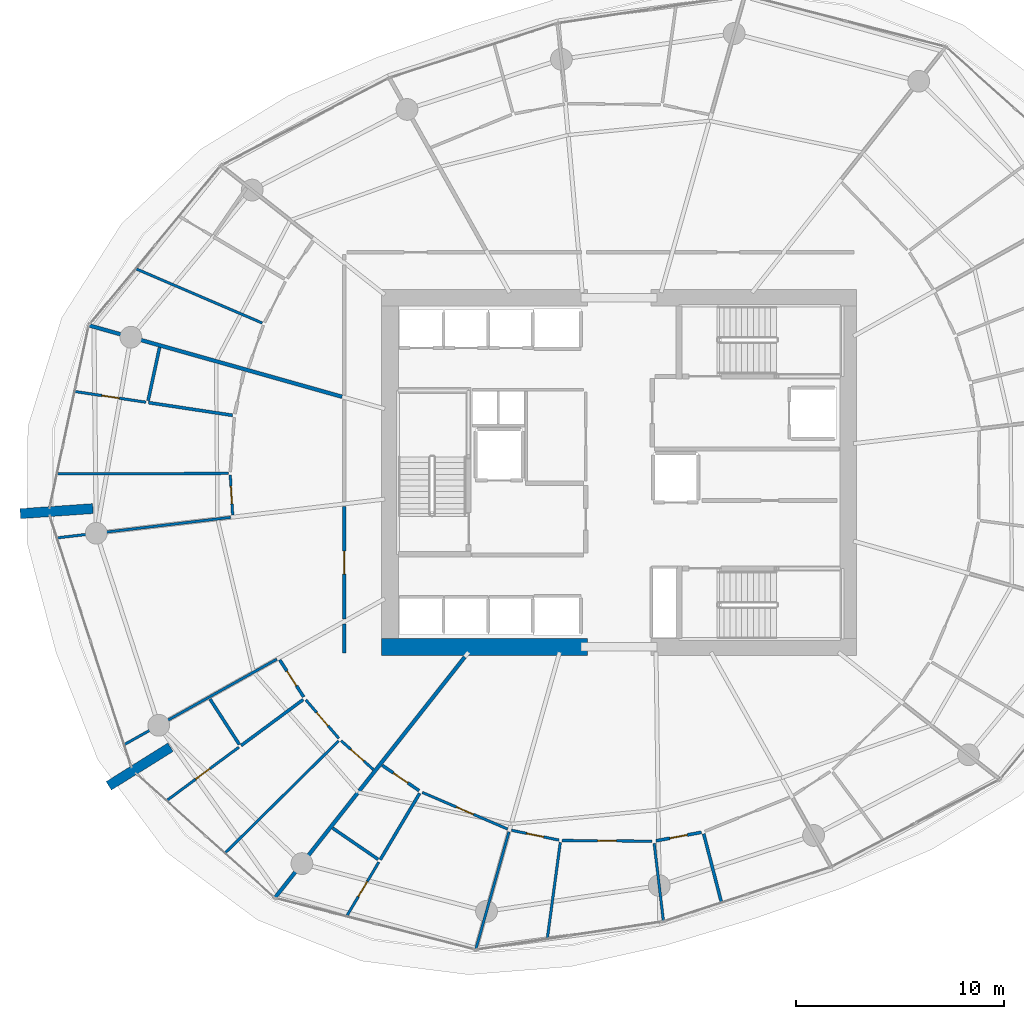
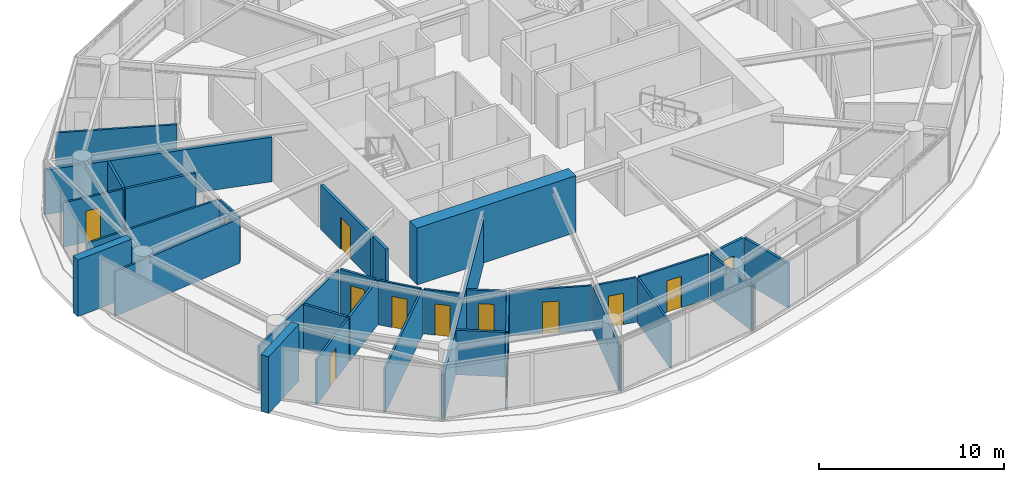
# One storey, part 12 of 17: 34 walls, 13 doors, 13 openings.
"""IFC4 building model written with IfcOpenShell, lengths in metres."""

from ifc_helpers import new_model, si_unit, direction, frame, frame_2d, origin, place, context, subcontext, project, spatial, rectangle, extrude, material, layer, layer_set, type_object, element, fill, save


model = new_model("IFC4")

# Units and contexts
model_context = context("Model", 3, precision=1e-05, world=origin(), true_north=direction((0.0, 1.0)))
body_context = subcontext(model_context, "Body", "Model", "MODEL_VIEW")
ifc_project = project(units=[si_unit("LENGTHUNIT", "METRE"), si_unit("AREAUNIT", "SQUARE_METRE"), si_unit("VOLUMEUNIT", "CUBIC_METRE"), si_unit("PLANEANGLEUNIT", "RADIAN"), si_unit("MASSUNIT", "GRAM", prefix="KILO")], contexts=[model_context])

# Site, building, storey
site_placement = place(None, origin())
site = spatial("IfcSite", under=ifc_project, at=site_placement, CompositionType="ELEMENT")
building_placement = place(site_placement, origin())
building = spatial("IfcBuilding", under=site, at=building_placement, Name="Kazma Halo Residences", CompositionType="ELEMENT")
storey_placement = place(building_placement, frame((0.0, 0.0, 127.800048828125)))
storey = spatial("IfcBuildingStorey", under=building, at=storey_placement, Name="L31", CompositionType="ELEMENT", Elevation=127.800048828125)

# Walls
ifc_material_1 = material(Name="Pale Concrete C60/75", Category="concrete")
ifc_layer_1 = layer(ifc_material_1, 0.47998046875)
ifc_layer_set_1 = layer_set([ifc_layer_1], Name="Pale Concrete C60/75")
wall_type_1 = type_object("IfcWallType", Name="WL-BLADE-480", PredefinedType="SOLIDWALL", material=ifc_layer_set_1)
for number, where, z_axis, x_axis, name in (
    (1, (23.10302734375, 40.259033203125, 0.0), (0.0, 0.0, 1.0), (-0.997564163539, -0.069754853754, 0.0), "L31 pale concrete structural blade fin wall BW-02"),
    (2, (26.834716796875, 28.7744140625, 0.0), (0.0, 0.0, 1.0), (-0.848053161125, -0.529911158502, 0.0), "L31 pale concrete structural blade fin wall BW-03"),
):
    element("IfcWall", number, at=place(storey_placement, frame(where, z_axis=z_axis, x_axis=x_axis)), inside=storey, type_object=wall_type_1, Name=name, PredefinedType="SOLIDWALL", context=body_context, shape_type="SweptSolid", body=[
        extrude(rectangle(XDim=3.5, YDim=0.47998046875, at=frame_2d((1.75, 0.0))), origin(), (0.0, 0.0, 1.0), 3.75),
    ])
ifc_material_2 = material(Name="Concrete C80/95", Category="concrete")
ifc_layer_2 = layer(ifc_material_2, 0.800048828125)
ifc_layer_set_2 = layer_set([ifc_layer_2], Name="Concrete C80/95")
wall_type_2 = type_object("IfcWallType", Name="WL-CORE-800", PredefinedType="SHEAR", material=ifc_layer_set_2)
wall_1_placement = place(storey_placement, frame((37.0, 33.60009765625, 0.0), z_axis=(0.0, 0.0, 1.0), x_axis=(1.0, 0.0, 0.0)))
element("IfcWall", 3, at=wall_1_placement, inside=storey, type_object=wall_type_2, Name="L31 central core shear wall SW", PredefinedType="SHEAR", context=body_context, shape_type="SweptSolid", body=[
    extrude(rectangle(XDim=9.89990234375, YDim=0.800048828125, at=frame_2d((4.949951171875, 0.0))), origin(), (0.0, 0.0, 1.0), 3.75),
])
ifc_material_3 = material(Name="Acoustic Twin-Stud Gypsum")
ifc_layer_3 = layer(ifc_material_3, 0.179931640625)
ifc_layer_set_3 = layer_set([ifc_layer_3], Name="Acoustic Twin-Stud Gypsum")
wall_type_3 = type_object("IfcWallType", Name="WL-DEM-180", PredefinedType="PARTITIONING", material=ifc_layer_set_3)
wall_2_placement = place(storey_placement, frame((35.093994140625, 45.639892578125, 0.0), z_axis=(0.0, 0.0, 1.0), x_axis=(-0.962457696796, 0.271431725996, 0.0)))
element("IfcWall", 4, at=wall_2_placement, inside=storey, type_object=wall_type_3, Name="L31 apartment demising radial wall 06", PredefinedType="PARTITIONING", context=body_context, shape_type="SweptSolid", body=[
    extrude(rectangle(XDim=12.641845703125, YDim=0.179931640625, at=frame_2d((6.32080078125, 0.0))), origin(), (0.0, 0.0, 1.0), 2.93994140625),
])
wall_3_placement = place(storey_placement, frame((40.994384765625, 33.113525390625, 0.0), z_axis=(0.0, 0.0, 1.0), x_axis=(-0.6190924473, -0.785318114968, 0.0)))
element("IfcWall", 5, at=wall_3_placement, inside=storey, type_object=wall_type_3, Name="L31 apartment demising radial wall 09", PredefinedType="PARTITIONING", context=body_context, shape_type="SweptSolid", body=[
    extrude(rectangle(XDim=14.73583984375, YDim=0.179931640625, at=frame_2d((7.367919921875, 0.0))), origin(), (0.0, 0.0, 1.0), 2.93994140625),
])

# Wall, opening, door
wall_4_placement = place(storey_placement, frame((35.199951171875, 40.364990234375, 0.0), z_axis=(0.0, 0.0, 1.0), x_axis=(0.0, -1.0, 0.0)))
wall_4 = element("IfcWall", 6, at=wall_4_placement, inside=storey, type_object=wall_type_3, Name="L31 Apartment 2 entrance corridor wall", PredefinedType="PARTITIONING", context=body_context, shape_type="SweptSolid", body=[
    extrude(rectangle(XDim=5.413330078125, YDim=0.179931640625, at=frame_2d((2.70654296875, 0.0))), origin(), (0.0, 0.0, 1.0), 2.93994140625),
])
opening_1_placement = place(wall_4_placement, frame((2.156494140625, 0.0, 0.0)))
opening_1 = element("IfcOpeningElement", 7, at=opening_1_placement, cuts=wall_4, Name="Opening DA-1100", PredefinedType="OPENING", context=body_context, shape_type="SweptSolid", body=[
    extrude(rectangle(XDim=1.10009765625, YDim=2.10009765625, at=frame_2d((0.550048828125, 1.050048828125))), frame((0.0, 0.099853515625, 0.0), z_axis=(0.0, -1.0, 0.0), x_axis=(1.0, 0.0, 0.0)), (0.0, 0.0, 1.0), 0.199951171875),
])
ifc_material_4 = material(Name="Acoustic Walnut Fire Leaf")
door_type_1 = type_object("IfcDoorType", Name="DR-FD60-1100", OperationType="NOTDEFINED", PredefinedType="DOOR", material=ifc_material_4)
door_1_placement = place(opening_1_placement, origin())
door_1 = element("IfcDoor", 8, at=door_1_placement, inside=storey, type_object=door_type_1, Name="L31 Apartment 2 entrance fire door", OperationType="SINGLE_SWING_RIGHT", OverallHeight=2.10009765625, OverallWidth=1.10009765625, PredefinedType="DOOR", context=body_context, shape_type="SweptSolid", body=[
    extrude(rectangle(XDim=1.10009765625, YDim=2.10009765625, at=frame_2d((0.550048828125, 1.050048828125))), frame((0.0, 0.02490234375, 0.0), z_axis=(0.0, -1.0, 0.0), x_axis=(1.0, 0.0, 0.0)), (0.0, 0.0, 1.0), 0.050048828125),
])
fill(opening_1, door_1)

# Walls
wall_5_placement = place(storey_placement, frame((35.199951171875, 34.711669921875, 0.0), z_axis=(0.0, 0.0, 1.0), x_axis=(0.0, -1.0, 0.0)))
element("IfcWall", 9, at=wall_5_placement, inside=storey, type_object=wall_type_3, Name="L31 Apartment 2 inner wall 8", PredefinedType="PARTITIONING", context=body_context, shape_type="SweptSolid", body=[
    extrude(rectangle(XDim=1.3916015625, YDim=0.179931640625, at=frame_2d((0.69580078125, 0.0))), origin(), (0.0, 0.0, 1.0), 2.93994140625),
])
ifc_material_5 = material(Name="Gypsum Plasterboard Partition")
ifc_layer_4 = layer(ifc_material_5, 0.125)
ifc_layer_set_4 = layer_set([ifc_layer_4], Name="Gypsum Plasterboard Partition")
wall_type_4 = type_object("IfcWallType", Name="WL-PART-125", PredefinedType="PARTITIONING", material=ifc_layer_set_4)
wall_6_placement = place(storey_placement, frame((31.2490234375, 49.190185546875, 0.0), z_axis=(0.0, 0.0, 1.0), x_axis=(-0.918909749981, 0.394467833151, 0.0)))
element("IfcWall", 10, at=wall_6_placement, inside=storey, type_object=wall_type_4, Name="L31 Apartment 1 suite divider 5", PredefinedType="PARTITIONING", context=body_context, shape_type="SweptSolid", body=[
    extrude(rectangle(XDim=6.606201171875, YDim=0.125, at=frame_2d((3.30322265625, 0.0))), origin(), (0.0, 0.0, 1.0), 2.93994140625),
])
wall_7_placement = place(storey_placement, frame((29.734619140625, 39.838134765625, 0.0), z_axis=(0.0, 0.0, 1.0), x_axis=(-0.993067960025, -0.117541595925, 0.0)))
element("IfcWall", 11, at=wall_7_placement, inside=storey, type_object=wall_type_4, Name="L31 Apartment 2 living radial partition 6", PredefinedType="PARTITIONING", context=body_context, shape_type="SweptSolid", body=[
    extrude(rectangle(XDim=8.393310546875, YDim=0.125, at=frame_2d((4.19677734375, 0.0))), origin(), (0.0, 0.0, 1.0), 2.93994140625),
])

# Wall, opening, door
wall_8_placement = place(storey_placement, frame((25.65087890625, 45.3779296875, 0.0), z_axis=(0.0, 0.0, 1.0), x_axis=(-0.988765709442, 0.149473649288, 0.0)))
wall_8 = element("IfcWall", 12, at=wall_8_placement, inside=storey, type_object=wall_type_4, Name="L31 Apartment 2 Household Store Room partition wall", PredefinedType="PARTITIONING", context=body_context, shape_type="SweptSolid", body=[
    extrude(rectangle(XDim=3.44482421875, YDim=0.125, at=frame_2d((1.722412109375, 0.0))), origin(), (0.0, 0.0, 1.0), 2.93994140625),
])
opening_2_placement = place(wall_8_placement, frame((1.29736328125, 0.0, 0.0)))
opening_2 = element("IfcOpeningElement", 13, at=opening_2_placement, cuts=wall_8, Name="Opening DB-900", PredefinedType="OPENING", context=body_context, shape_type="SweptSolid", body=[
    extrude(rectangle(XDim=0.85009765625, YDim=2.06005859375, at=frame_2d((0.425048828125, 1.030029296875))), frame((0.0, 0.072509765625, 0.0), z_axis=(0.0, -1.0, 0.0), x_axis=(1.0, 0.0, 0.0)), (0.0, 0.0, 1.0), 0.14501953125),
])
ifc_material_6 = material(Name="Moisture-Sealed Timber Leaf", Category="wood")
door_type_2 = type_object("IfcDoorType", Name="DR-BTH-900", OperationType="NOTDEFINED", PredefinedType="DOOR", material=ifc_material_6)
door_2_placement = place(opening_2_placement, origin())
door_2 = element("IfcDoor", 14, at=door_2_placement, inside=storey, type_object=door_type_2, Name="L31 Apartment 2 Household Store Room door", OperationType="SINGLE_SWING_LEFT", OverallHeight=2.06005859375, OverallWidth=0.85009765625, PredefinedType="DOOR", context=body_context, shape_type="SweptSolid", body=[
    extrude(rectangle(XDim=0.85009765625, YDim=2.06005859375, at=frame_2d((0.425048828125, 1.030029296875))), frame((0.0, 0.02490234375, 0.0), z_axis=(0.0, -1.0, 0.0), x_axis=(1.0, 0.0, 0.0)), (0.0, 0.0, 1.0), 0.050048828125),
])
fill(opening_2, door_2)

# Wall
wall_9_placement = place(storey_placement, frame((29.6171875, 41.951416015625, 0.0), z_axis=(0.0, 0.0, 1.0), x_axis=(-0.999996508775, -0.002642430132, 0.0)))
element("IfcWall", 15, at=wall_9_placement, inside=storey, type_object=wall_type_4, Name="L31 Apartment 2 suite divider 6", PredefinedType="PARTITIONING", context=body_context, shape_type="SweptSolid", body=[
    extrude(rectangle(XDim=8.222900390625, YDim=0.125, at=frame_2d((4.111328125, 0.0))), origin(), (0.0, 0.0, 1.0), 2.93994140625),
])

# Wall, opening, door
wall_10_placement = place(storey_placement, frame((29.7119140625, 41.87158203125, 0.0), z_axis=(0.0, 0.0, 1.0), x_axis=(0.060230897349, -0.99818447143, 0.0)))
wall_10 = element("IfcWall", 16, at=wall_10_placement, inside=storey, type_object=wall_type_4, Name="L31 Apartment 2 Primary Bedroom hall wall", PredefinedType="PARTITIONING", context=body_context, shape_type="SweptSolid", body=[
    extrude(rectangle(XDim=1.92529296875, YDim=0.125, at=frame_2d((0.962646484375, 0.0))), origin(), (0.0, 0.0, 1.0), 2.93994140625),
])
opening_3_placement = place(wall_10_placement, frame((0.53759765625, 0.0, 0.0)))
opening_3 = element("IfcOpeningElement", 17, at=opening_3_placement, cuts=wall_10, Name="Opening DB-900", PredefinedType="OPENING", context=body_context, shape_type="SweptSolid", body=[
    extrude(rectangle(XDim=0.85009765625, YDim=2.06005859375, at=frame_2d((0.425048828125, 1.030029296875))), frame((0.0, 0.072509765625, 0.0), z_axis=(0.0, -1.0, 0.0), x_axis=(1.0, 0.0, 0.0)), (0.0, 0.0, 1.0), 0.14501953125),
])
door_3_placement = place(opening_3_placement, origin())
door_3 = element("IfcDoor", 18, at=door_3_placement, inside=storey, type_object=door_type_2, Name="L31 Apartment 2 Primary Bedroom door", OperationType="SINGLE_SWING_LEFT", OverallHeight=2.06005859375, OverallWidth=0.85009765625, PredefinedType="DOOR", context=body_context, shape_type="SweptSolid", body=[
    extrude(rectangle(XDim=0.85009765625, YDim=2.06005859375, at=frame_2d((0.425048828125, 1.030029296875))), frame((0.0, 0.02490234375, 0.0), z_axis=(0.0, -1.0, 0.0), x_axis=(1.0, 0.0, 0.0)), (0.0, 0.0, 1.0), 0.050048828125),
])
fill(opening_3, door_3)

# Wall
wall_11_placement = place(storey_placement, frame((31.9521484375, 33.0126953125, 0.0), z_axis=(0.0, 0.0, 1.0), x_axis=(-0.872496095363, -0.488621083844, 0.0)))
element("IfcWall", 19, at=wall_11_placement, inside=storey, type_object=wall_type_4, Name="L31 Apartment 2 radial partition 8", PredefinedType="PARTITIONING", context=body_context, shape_type="SweptSolid", body=[
    extrude(rectangle(XDim=8.39306640625, YDim=0.125, at=frame_2d((4.196533203125, 0.0))), origin(), (0.0, 0.0, 1.0), 2.93994140625),
])

# Wall, opening, door
wall_12_placement = place(storey_placement, frame((30.126708984375, 28.77685546875, 0.0), z_axis=(0.0, 0.0, 1.0), x_axis=(-0.803912325993, -0.594747822288, 0.0)))
wall_12 = element("IfcWall", 20, at=wall_12_placement, inside=storey, type_object=wall_type_4, Name="L31 Apartment 2 West Walk-In Wardrobe partition wall", PredefinedType="PARTITIONING", context=body_context, shape_type="SweptSolid", body=[
    extrude(rectangle(XDim=4.309326171875, YDim=0.125, at=frame_2d((2.15478515625, 0.0))), origin(), (0.0, 0.0, 1.0), 2.93994140625),
])
opening_4_placement = place(wall_12_placement, frame((1.7294921875, 0.0, 0.0)))
opening_4 = element("IfcOpeningElement", 21, at=opening_4_placement, cuts=wall_12, Name="Opening DB-900", PredefinedType="OPENING", context=body_context, shape_type="SweptSolid", body=[
    extrude(rectangle(XDim=0.85009765625, YDim=2.06005859375, at=frame_2d((0.425048828125, 1.030029296875))), frame((0.0, 0.072509765625, 0.0), z_axis=(0.0, -1.0, 0.0), x_axis=(1.0, 0.0, 0.0)), (0.0, 0.0, 1.0), 0.14501953125),
])
door_4_placement = place(opening_4_placement, origin())
door_4 = element("IfcDoor", 22, at=door_4_placement, inside=storey, type_object=door_type_2, Name="L31 Apartment 2 West Walk-In Wardrobe door", OperationType="SINGLE_SWING_LEFT", OverallHeight=2.06005859375, OverallWidth=0.85009765625, PredefinedType="DOOR", context=body_context, shape_type="SweptSolid", body=[
    extrude(rectangle(XDim=0.85009765625, YDim=2.06005859375, at=frame_2d((0.425048828125, 1.030029296875))), frame((0.0, 0.02490234375, 0.0), z_axis=(0.0, -1.0, 0.0), x_axis=(1.0, 0.0, 0.0)), (0.0, 0.0, 1.0), 0.050048828125),
])
fill(opening_4, door_4)

# Wall
wall_13_placement = place(storey_placement, frame((34.923583984375, 29.079345703125, 0.0), z_axis=(0.0, 0.0, 1.0), x_axis=(-0.711347353335, -0.702840624113, 0.0)))
element("IfcWall", 23, at=wall_13_placement, inside=storey, type_object=wall_type_4, Name="L31 Apartment 2 suite divider 8", PredefinedType="PARTITIONING", context=body_context, shape_type="SweptSolid", body=[
    extrude(rectangle(XDim=7.662841796875, YDim=0.125, at=frame_2d((3.83154296875, 0.0))), origin(), (0.0, 0.0, 1.0), 2.93994140625),
])

# Wall, opening, door
wall_14_placement = place(storey_placement, frame((33.3525390625, 31.0517578125, 0.0), z_axis=(0.0, 0.0, 1.0), x_axis=(0.650526940133, -0.759483179643, 0.0)))
wall_14 = element("IfcWall", 24, at=wall_14_placement, inside=storey, type_object=wall_type_4, Name="L31 Apartment 2 North Private Study hall wall", PredefinedType="PARTITIONING", context=body_context, shape_type="SweptSolid", body=[
    extrude(rectangle(XDim=2.433349609375, YDim=0.125, at=frame_2d((1.216796875, 0.0))), origin(), (0.0, 0.0, 1.0), 2.93994140625),
])
opening_5_placement = place(wall_14_placement, frame((0.791748046875, 0.0, 0.0)))
opening_5 = element("IfcOpeningElement", 25, at=opening_5_placement, cuts=wall_14, Name="Opening DB-900", PredefinedType="OPENING", context=body_context, shape_type="SweptSolid", body=[
    extrude(rectangle(XDim=0.85009765625, YDim=2.06005859375, at=frame_2d((0.425048828125, 1.030029296875))), frame((0.0, 0.072509765625, 0.0), z_axis=(0.0, -1.0, 0.0), x_axis=(1.0, 0.0, 0.0)), (0.0, 0.0, 1.0), 0.14501953125),
])
door_5_placement = place(opening_5_placement, origin())
door_5 = element("IfcDoor", 26, at=door_5_placement, inside=storey, type_object=door_type_2, Name="L31 Apartment 2 North Private Study door", OperationType="SINGLE_SWING_RIGHT", OverallHeight=2.06005859375, OverallWidth=0.85009765625, PredefinedType="DOOR", context=body_context, shape_type="SweptSolid", body=[
    extrude(rectangle(XDim=0.85009765625, YDim=2.06005859375, at=frame_2d((0.425048828125, 1.030029296875))), frame((0.0, 0.02490234375, 0.0), z_axis=(0.0, -1.0, 0.0), x_axis=(1.0, 0.0, 0.0)), (0.0, 0.0, 1.0), 0.050048828125),
])
fill(opening_5, door_5)

wall_15_placement = place(storey_placement, frame((35.047119140625, 29.08935546875, 0.0), z_axis=(0.0, 0.0, 1.0), x_axis=(0.74555079013, -0.66644881224, 0.0)))
wall_15 = element("IfcWall", 27, at=wall_15_placement, inside=storey, type_object=wall_type_4, Name="L31 Apartment 2 South Master Bedroom hall wall", PredefinedType="PARTITIONING", context=body_context, shape_type="SweptSolid", body=[
    extrude(rectangle(XDim=2.083251953125, YDim=0.125, at=frame_2d((1.04150390625, 0.0))), origin(), (0.0, 0.0, 1.0), 2.93994140625),
])
opening_6_placement = place(wall_15_placement, frame((0.61669921875, 0.0, 0.0)))
opening_6 = element("IfcOpeningElement", 28, at=opening_6_placement, cuts=wall_15, Name="Opening DB-900", PredefinedType="OPENING", context=body_context, shape_type="SweptSolid", body=[
    extrude(rectangle(XDim=0.85009765625, YDim=2.06005859375, at=frame_2d((0.425048828125, 1.030029296875))), frame((0.0, 0.072509765625, 0.0), z_axis=(0.0, -1.0, 0.0), x_axis=(1.0, 0.0, 0.0)), (0.0, 0.0, 1.0), 0.14501953125),
])
door_6_placement = place(opening_6_placement, origin())
door_6 = element("IfcDoor", 29, at=door_6_placement, inside=storey, type_object=door_type_2, Name="L31 Apartment 2 South Master Bedroom door", OperationType="SINGLE_SWING_LEFT", OverallHeight=2.06005859375, OverallWidth=0.85009765625, PredefinedType="DOOR", context=body_context, shape_type="SweptSolid", body=[
    extrude(rectangle(XDim=0.85009765625, YDim=2.06005859375, at=frame_2d((0.425048828125, 1.030029296875))), frame((0.0, 0.02490234375, 0.0), z_axis=(0.0, -1.0, 0.0), x_axis=(1.0, 0.0, 0.0)), (0.0, 0.0, 1.0), 0.050048828125),
])
fill(opening_6, door_6)

wall_16_placement = place(storey_placement, frame((36.86083984375, 23.2490234375, 0.0), z_axis=(0.0, 0.0, 1.0), x_axis=(-0.510695747919, -0.859761509407, 0.0)))
wall_16 = element("IfcWall", 30, at=wall_16_placement, inside=storey, type_object=wall_type_4, Name="L31 Apartment 3 Utility Laundry Room partition wall", PredefinedType="PARTITIONING", context=body_context, shape_type="SweptSolid", body=[
    extrude(rectangle(XDim=3.01806640625, YDim=0.125, at=frame_2d((1.509033203125, 0.0))), origin(), (0.0, 0.0, 1.0), 2.93994140625),
])
opening_7_placement = place(wall_16_placement, frame((1.083984375, 0.0, 0.0)))
opening_7 = element("IfcOpeningElement", 31, at=opening_7_placement, cuts=wall_16, Name="Opening DB-900", PredefinedType="OPENING", context=body_context, shape_type="SweptSolid", body=[
    extrude(rectangle(XDim=0.85009765625, YDim=2.06005859375, at=frame_2d((0.425048828125, 1.030029296875))), frame((0.0, 0.072509765625, 0.0), z_axis=(0.0, -1.0, 0.0), x_axis=(1.0, 0.0, 0.0)), (0.0, 0.0, 1.0), 0.14501953125),
])
door_7_placement = place(opening_7_placement, origin())
door_7 = element("IfcDoor", 32, at=door_7_placement, inside=storey, type_object=door_type_2, Name="L31 Apartment 3 Utility Laundry Room door", OperationType="SINGLE_SWING_RIGHT", OverallHeight=2.06005859375, OverallWidth=0.85009765625, PredefinedType="DOOR", context=body_context, shape_type="SweptSolid", body=[
    extrude(rectangle(XDim=0.85009765625, YDim=2.06005859375, at=frame_2d((0.425048828125, 1.030029296875))), frame((0.0, 0.02490234375, 0.0), z_axis=(0.0, -1.0, 0.0), x_axis=(1.0, 0.0, 0.0)), (0.0, 0.0, 1.0), 0.050048828125),
])
fill(opening_7, door_7)

wall_17_placement = place(storey_placement, frame((38.955810546875, 26.600830078125, 0.0), z_axis=(0.0, 0.0, 1.0), x_axis=(0.91893554928, -0.39440772846, 0.0)))
wall_17 = element("IfcWall", 33, at=wall_17_placement, inside=storey, type_object=wall_type_4, Name="L31 Apartment 3 Gourmet Kitchen hall wall", PredefinedType="PARTITIONING", context=body_context, shape_type="SweptSolid", body=[
    extrude(rectangle(XDim=4.463623046875, YDim=0.125, at=frame_2d((2.23193359375, 0.0))), origin(), (0.0, 0.0, 1.0), 2.93994140625),
])
opening_8_placement = place(wall_17_placement, frame((1.78173828125, 0.0, 0.0)))
opening_8 = element("IfcOpeningElement", 34, at=opening_8_placement, cuts=wall_17, Name="Opening DI-950", PredefinedType="OPENING", context=body_context, shape_type="SweptSolid", body=[
    extrude(rectangle(XDim=0.89990234375, YDim=2.080078125, at=frame_2d((0.449951171875, 1.0400390625))), frame((0.0, 0.072509765625, 0.0), z_axis=(0.0, -1.0, 0.0), x_axis=(1.0, 0.0, 0.0)), (0.0, 0.0, 1.0), 0.14501953125),
])
ifc_material_7 = material(Name="Timber Veneer Flush Leaf", Category="wood")
door_type_3 = type_object("IfcDoorType", Name="DR-INT-950", OperationType="NOTDEFINED", PredefinedType="DOOR", material=ifc_material_7)
door_8_placement = place(opening_8_placement, origin())
door_8 = element("IfcDoor", 35, at=door_8_placement, inside=storey, type_object=door_type_3, Name="L31 Apartment 3 Gourmet Kitchen door", OperationType="SINGLE_SWING_LEFT", OverallHeight=2.080078125, OverallWidth=0.89990234375, PredefinedType="DOOR", context=body_context, shape_type="SweptSolid", body=[
    extrude(rectangle(XDim=0.89990234375, YDim=2.080078125, at=frame_2d((0.449951171875, 1.0400390625))), frame((0.0, 0.02490234375, 0.0), z_axis=(0.0, -1.0, 0.0), x_axis=(1.0, 0.0, 0.0)), (0.0, 0.0, 1.0), 0.050048828125),
])
fill(opening_8, door_8)

# Walls
wall_18_placement = place(storey_placement, frame((43.122314453125, 24.70458984375, 0.0), z_axis=(0.0, 0.0, 1.0), x_axis=(-0.271456213136, -0.962450790612, 0.0)))
element("IfcWall", 36, at=wall_18_placement, inside=storey, type_object=wall_type_4, Name="L31 Apartment 3 radial partition 10", PredefinedType="PARTITIONING", context=body_context, shape_type="SweptSolid", body=[
    extrude(rectangle(XDim=5.869384765625, YDim=0.125, at=frame_2d((2.9345703125, 0.0))), origin(), (0.0, 0.0, 1.0), 2.93994140625),
])
wall_19_placement = place(storey_placement, frame((45.59521484375, 24.20166015625, 0.0), z_axis=(0.0, 0.0, 1.0), x_axis=(-0.133913732336, -0.990992993059, 0.0)))
element("IfcWall", 37, at=wall_19_placement, inside=storey, type_object=wall_type_4, Name="L31 Apartment 3 mid-bay wall 10", PredefinedType="PARTITIONING", context=body_context, shape_type="SweptSolid", body=[
    extrude(rectangle(XDim=4.6689453125, YDim=0.125, at=frame_2d((2.33447265625, 0.0))), origin(), (0.0, 0.0, 1.0), 2.93994140625),
])

# Wall, opening, door
wall_20_placement = place(storey_placement, frame((43.247314453125, 24.780517578125, 0.0), z_axis=(0.0, 0.0, 1.0), x_axis=(0.979144850172, -0.203163388388, 0.0)))
wall_20 = element("IfcWall", 38, at=wall_20_placement, inside=storey, type_object=wall_type_4, Name="L31 Apartment 3 East Bedroom hall wall", PredefinedType="PARTITIONING", context=body_context, shape_type="SweptSolid", body=[
    extrude(rectangle(XDim=2.330078125, YDim=0.125, at=frame_2d((1.1650390625, 0.0))), origin(), (0.0, 0.0, 1.0), 2.93994140625),
])
opening_9_placement = place(wall_20_placement, frame((0.739990234375, 0.0, 0.0)))
opening_9 = element("IfcOpeningElement", 39, at=opening_9_placement, cuts=wall_20, Name="Opening DB-900", PredefinedType="OPENING", context=body_context, shape_type="SweptSolid", body=[
    extrude(rectangle(XDim=0.85009765625, YDim=2.06005859375, at=frame_2d((0.425048828125, 1.030029296875))), frame((0.0, 0.072509765625, 0.0), z_axis=(0.0, -1.0, 0.0), x_axis=(1.0, 0.0, 0.0)), (0.0, 0.0, 1.0), 0.14501953125),
])
door_9_placement = place(opening_9_placement, origin())
door_9 = element("IfcDoor", 40, at=door_9_placement, inside=storey, type_object=door_type_2, Name="L31 Apartment 3 East Bedroom door", OperationType="SINGLE_SWING_RIGHT", OverallHeight=2.06005859375, OverallWidth=0.85009765625, PredefinedType="DOOR", context=body_context, shape_type="SweptSolid", body=[
    extrude(rectangle(XDim=0.85009765625, YDim=2.06005859375, at=frame_2d((0.425048828125, 1.030029296875))), frame((0.0, 0.02490234375, 0.0), z_axis=(0.0, -1.0, 0.0), x_axis=(1.0, 0.0, 0.0)), (0.0, 0.0, 1.0), 0.050048828125),
])
fill(opening_9, door_9)

wall_21_placement = place(storey_placement, frame((45.687255859375, 24.290283203125, 0.0), z_axis=(0.0, 0.0, 1.0), x_axis=(0.999965854942, -0.008263712844, 0.0)))
wall_21 = element("IfcWall", 41, at=wall_21_placement, inside=storey, type_object=wall_type_4, Name="L31 Apartment 3 West Bedroom hall wall", PredefinedType="PARTITIONING", context=body_context, shape_type="SweptSolid", body=[
    extrude(rectangle(XDim=4.3134765625, YDim=0.125, at=frame_2d((2.15673828125, 0.0))), origin(), (0.0, 0.0, 1.0), 2.93994140625),
])
opening_10_placement = place(wall_21_placement, frame((1.706787109375, 0.0, 0.0)))
opening_10 = element("IfcOpeningElement", 42, at=opening_10_placement, cuts=wall_21, Name="Opening DI-950", PredefinedType="OPENING", context=body_context, shape_type="SweptSolid", body=[
    extrude(rectangle(XDim=0.89990234375, YDim=2.080078125, at=frame_2d((0.449951171875, 1.0400390625))), frame((0.0, 0.072509765625, 0.0), z_axis=(0.0, -1.0, 0.0), x_axis=(1.0, 0.0, 0.0)), (0.0, 0.0, 1.0), 0.14501953125),
])
door_10_placement = place(opening_10_placement, origin())
door_10 = element("IfcDoor", 43, at=door_10_placement, inside=storey, type_object=door_type_3, Name="L31 Apartment 3 West Bedroom door", OperationType="SINGLE_SWING_LEFT", OverallHeight=2.080078125, OverallWidth=0.89990234375, PredefinedType="DOOR", context=body_context, shape_type="SweptSolid", body=[
    extrude(rectangle(XDim=0.89990234375, YDim=2.080078125, at=frame_2d((0.449951171875, 1.0400390625))), frame((0.0, 0.02490234375, 0.0), z_axis=(0.0, -1.0, 0.0), x_axis=(1.0, 0.0, 0.0)), (0.0, 0.0, 1.0), 0.050048828125),
])
fill(opening_10, door_10)

# Walls
wall_22_placement = place(storey_placement, frame((50.1123046875, 24.154541015625, 0.0), z_axis=(0.0, 0.0, 1.0), x_axis=(0.117510984651, -0.99307158276, 0.0)))
element("IfcWall", 44, at=wall_22_placement, inside=storey, type_object=wall_type_4, Name="L31 Apartment 3 radial partition 11", PredefinedType="PARTITIONING", context=body_context, shape_type="SweptSolid", body=[
    extrude(rectangle(XDim=3.7646484375, YDim=0.125, at=frame_2d((1.88232421875, 0.0))), origin(), (0.0, 0.0, 1.0), 2.93994140625),
])
ifc_material_8 = material(Name="Moisture-Resistant Gypsum")
ifc_layer_5 = layer(ifc_material_8, 0.14990234375)
ifc_layer_set_5 = layer_set([ifc_layer_5], Name="Moisture-Resistant Gypsum")
wall_type_5 = type_object("IfcWallType", Name="WL-WET-150", PredefinedType="PARTITIONING", material=ifc_layer_set_5)
wall_23_placement = place(storey_placement, frame((26.31103515625, 48.01318359375, 0.0), z_axis=(0.0, 0.0, 1.0), x_axis=(-0.210808187922, -0.977527446114, 0.0)))
element("IfcWall", 45, at=wall_23_placement, inside=storey, type_object=wall_type_5, Name="L31 Apartment 2 Guest Bathroom back wall", PredefinedType="PARTITIONING", context=body_context, shape_type="SweptSolid", body=[
    extrude(rectangle(XDim=2.61962890625, YDim=0.14990234375, at=frame_2d((1.309814453125, 0.0))), origin(), (0.0, 0.0, 1.0), 2.93994140625),
])
wall_24_placement = place(storey_placement, frame((29.823486328125, 44.747314453125, 0.0), z_axis=(0.0, 0.0, 1.0), x_axis=(-0.988775971455, 0.149405750471, 0.0)))
element("IfcWall", 46, at=wall_24_placement, inside=storey, type_object=wall_type_5, Name="L31 Apartment 2 Guest Bathroom side wall", PredefinedType="PARTITIONING", context=body_context, shape_type="SweptSolid", body=[
    extrude(rectangle(XDim=4.090087890625, YDim=0.14990234375, at=frame_2d((2.044921875, 0.0))), origin(), (0.0, 0.0, 1.0), 2.93994140625),
])

# Wall, opening, door
wall_25_placement = place(storey_placement, frame((32.09375, 32.977783203125, 0.0), z_axis=(0.0, 0.0, 1.0), x_axis=(0.542774080691, -0.839878739658, 0.0)))
wall_25 = element("IfcWall", 47, at=wall_25_placement, inside=storey, type_object=wall_type_5, Name="L31 Apartment 2 East En-Suite Bathroom hall wall", PredefinedType="PARTITIONING", context=body_context, shape_type="SweptSolid", body=[
    extrude(rectangle(XDim=2.121826171875, YDim=0.14990234375, at=frame_2d((1.06103515625, 0.0))), origin(), (0.0, 0.0, 1.0), 2.93994140625),
])
opening_11_placement = place(wall_25_placement, frame((0.6357421875, 0.0, 0.0)))
opening_11 = element("IfcOpeningElement", 48, at=opening_11_placement, cuts=wall_25, Name="Opening DB-900", PredefinedType="OPENING", context=body_context, shape_type="SweptSolid", body=[
    extrude(rectangle(XDim=0.85009765625, YDim=2.06005859375, at=frame_2d((0.425048828125, 1.030029296875))), frame((0.0, 0.0849609375, 0.0), z_axis=(0.0, -1.0, 0.0), x_axis=(1.0, 0.0, 0.0)), (0.0, 0.0, 1.0), 0.169921875),
])
door_11_placement = place(opening_11_placement, origin())
door_11 = element("IfcDoor", 49, at=door_11_placement, inside=storey, type_object=door_type_2, Name="L31 Apartment 2 East En-Suite Bathroom door", OperationType="SINGLE_SWING_RIGHT", OverallHeight=2.06005859375, OverallWidth=0.85009765625, PredefinedType="DOOR", context=body_context, shape_type="SweptSolid", body=[
    extrude(rectangle(XDim=0.85009765625, YDim=2.06005859375, at=frame_2d((0.425048828125, 1.030029296875))), frame((0.0, 0.02490234375, 0.0), z_axis=(0.0, -1.0, 0.0), x_axis=(1.0, 0.0, 0.0)), (0.0, 0.0, 1.0), 0.050048828125),
])
fill(opening_11, door_11)

# Walls
wall_26_placement = place(storey_placement, frame((28.734619140625, 31.096435546875, 0.0), z_axis=(0.0, 0.0, 1.0), x_axis=(0.542762120598, -0.839886468783, 0.0)))
element("IfcWall", 50, at=wall_26_placement, inside=storey, type_object=wall_type_5, Name="L31 Apartment 2 East En-Suite Bathroom back wall", PredefinedType="PARTITIONING", context=body_context, shape_type="SweptSolid", body=[
    extrude(rectangle(XDim=2.60791015625, YDim=0.14990234375, at=frame_2d((1.303955078125, 0.0))), origin(), (0.0, 0.0, 1.0), 2.93994140625),
])
wall_27_placement = place(storey_placement, frame((33.2216796875, 31.066650390625, 0.0), z_axis=(0.0, 0.0, 1.0), x_axis=(-0.803912816924, -0.594747158704, 0.0)))
element("IfcWall", 51, at=wall_27_placement, inside=storey, type_object=wall_type_5, Name="L31 Apartment 2 East En-Suite Bathroom side wall", PredefinedType="PARTITIONING", context=body_context, shape_type="SweptSolid", body=[
    extrude(rectangle(XDim=3.719970703125, YDim=0.14990234375, at=frame_2d((1.85986328125, 0.0))), origin(), (0.0, 0.0, 1.0), 2.93994140625),
])

# Wall, opening, door
wall_28_placement = place(storey_placement, frame((37.019287109375, 27.909912109375, 0.0), z_axis=(0.0, 0.0, 1.0), x_axis=(0.824299176804, -0.56615445518, 0.0)))
wall_28 = element("IfcWall", 52, at=wall_28_placement, inside=storey, type_object=wall_type_5, Name="L31 Apartment 3 Guest Bathroom hall wall", PredefinedType="PARTITIONING", context=body_context, shape_type="SweptSolid", body=[
    extrude(rectangle(XDim=2.1591796875, YDim=0.14990234375, at=frame_2d((1.07958984375, 0.0))), origin(), (0.0, 0.0, 1.0), 2.93994140625),
])
opening_12_placement = place(wall_28_placement, frame((0.654541015625, 0.0, 0.0)))
opening_12 = element("IfcOpeningElement", 53, at=opening_12_placement, cuts=wall_28, Name="Opening DB-900", PredefinedType="OPENING", context=body_context, shape_type="SweptSolid", body=[
    extrude(rectangle(XDim=0.85009765625, YDim=2.06005859375, at=frame_2d((0.425048828125, 1.030029296875))), frame((0.0, 0.0849609375, 0.0), z_axis=(0.0, -1.0, 0.0), x_axis=(1.0, 0.0, 0.0)), (0.0, 0.0, 1.0), 0.169921875),
])
door_12_placement = place(opening_12_placement, origin())
door_12 = element("IfcDoor", 54, at=door_12_placement, inside=storey, type_object=door_type_2, Name="L31 Apartment 3 Guest Bathroom door", OperationType="SINGLE_SWING_LEFT", OverallHeight=2.06005859375, OverallWidth=0.85009765625, PredefinedType="DOOR", context=body_context, shape_type="SweptSolid", body=[
    extrude(rectangle(XDim=0.85009765625, YDim=2.06005859375, at=frame_2d((0.425048828125, 1.030029296875))), frame((0.0, 0.02490234375, 0.0), z_axis=(0.0, -1.0, 0.0), x_axis=(1.0, 0.0, 0.0)), (0.0, 0.0, 1.0), 0.050048828125),
])
fill(opening_12, door_12)

# Walls
wall_29_placement = place(storey_placement, frame((34.6357421875, 24.88623046875, 0.0), z_axis=(0.0, 0.0, 1.0), x_axis=(0.824333146006, -0.566104994145, 0.0)))
element("IfcWall", 55, at=wall_29_placement, inside=storey, type_object=wall_type_5, Name="L31 Apartment 3 Guest Bathroom back wall", PredefinedType="PARTITIONING", context=body_context, shape_type="SweptSolid", body=[
    extrude(rectangle(XDim=2.665283203125, YDim=0.14990234375, at=frame_2d((1.33251953125, 0.0))), origin(), (0.0, 0.0, 1.0), 2.93994140625),
])
wall_30_placement = place(storey_placement, frame((38.8271484375, 26.55908203125, 0.0), z_axis=(0.0, 0.0, 1.0), x_axis=(-0.510726768545, -0.859743082491, 0.0)))
element("IfcWall", 56, at=wall_30_placement, inside=storey, type_object=wall_type_5, Name="L31 Apartment 3 Guest Bathroom side wall", PredefinedType="PARTITIONING", context=body_context, shape_type="SweptSolid", body=[
    extrude(rectangle(XDim=3.719970703125, YDim=0.14990234375, at=frame_2d((1.85986328125, 0.0))), origin(), (0.0, 0.0, 1.0), 2.93994140625),
])

# Wall, opening, door
wall_31_placement = place(storey_placement, frame((50.19873046875, 24.272216796875, 0.0), z_axis=(0.0, 0.0, 1.0), x_axis=(0.982859747054, 0.184354868719, 0.0)))
wall_31 = element("IfcWall", 57, at=wall_31_placement, inside=storey, type_object=wall_type_5, Name="L31 Apartment 3 North En-Suite Bathroom hall wall", PredefinedType="PARTITIONING", context=body_context, shape_type="SweptSolid", body=[
    extrude(rectangle(XDim=2.22216796875, YDim=0.14990234375, at=frame_2d((1.111083984375, 0.0))), origin(), (0.0, 0.0, 1.0), 2.93994140625),
])
opening_13_placement = place(wall_31_placement, frame((0.68603515625, 0.0, 0.0)))
opening_13 = element("IfcOpeningElement", 58, at=opening_13_placement, cuts=wall_31, Name="Opening DB-900", PredefinedType="OPENING", context=body_context, shape_type="SweptSolid", body=[
    extrude(rectangle(XDim=0.85009765625, YDim=2.06005859375, at=frame_2d((0.425048828125, 1.030029296875))), frame((0.0, 0.0849609375, 0.0), z_axis=(0.0, -1.0, 0.0), x_axis=(1.0, 0.0, 0.0)), (0.0, 0.0, 1.0), 0.169921875),
])
door_13_placement = place(opening_13_placement, origin())
door_13 = element("IfcDoor", 59, at=door_13_placement, inside=storey, type_object=door_type_2, Name="L31 Apartment 3 North En-Suite Bathroom door", OperationType="SINGLE_SWING_LEFT", OverallHeight=2.06005859375, OverallWidth=0.85009765625, PredefinedType="DOOR", context=body_context, shape_type="SweptSolid", body=[
    extrude(rectangle(XDim=0.85009765625, YDim=2.06005859375, at=frame_2d((0.425048828125, 1.030029296875))), frame((0.0, 0.02490234375, 0.0), z_axis=(0.0, -1.0, 0.0), x_axis=(1.0, 0.0, 0.0)), (0.0, 0.0, 1.0), 0.050048828125),
])
fill(opening_13, door_13)

# Wall
wall_32_placement = place(storey_placement, frame((52.493896484375, 24.611328125, 0.0), z_axis=(0.0, 0.0, 1.0), x_axis=(0.250138878085, -0.96820996776, 0.0)))
element("IfcWall", 60, at=wall_32_placement, inside=storey, type_object=wall_type_5, Name="L31 Apartment 3 North En-Suite Bathroom side wall", PredefinedType="PARTITIONING", context=body_context, shape_type="SweptSolid", body=[
    extrude(rectangle(XDim=3.396484375, YDim=0.14990234375, at=frame_2d((1.6982421875, 0.0))), origin(), (0.0, 0.0, 1.0), 2.93994140625),
])

save(model, "model.ifc")
